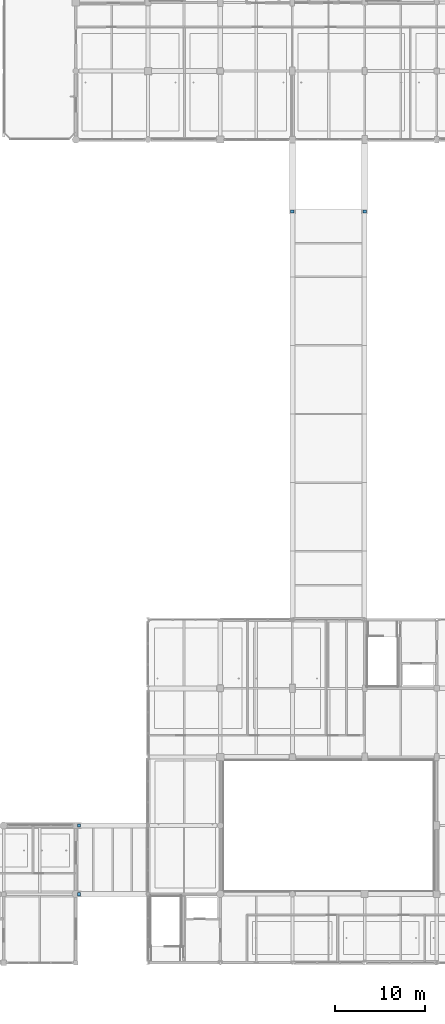
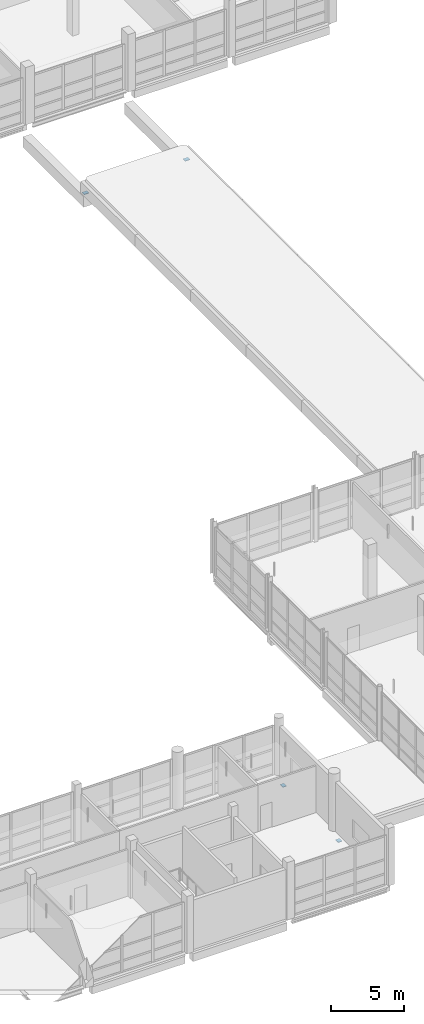
# One storey, part 95 of 107: 4 discrete accessories.
"""IFC4 building model written with IfcOpenShell, lengths in metres."""

from ifc_helpers import new_model, si_unit, direction, frame, origin, origin_2d, place, context, subcontext, project, spatial, rectangle, extrude, material, type_object, element, save


model = new_model("IFC4")

# Units and contexts
model_context = context("Model", 3, precision=1e-05, world=origin(), true_north=direction((0.0, 1.0)))
body_context = subcontext(model_context, "Body", "Model", "MODEL_VIEW")
ifc_project = project(units=[si_unit("LENGTHUNIT", "METRE"), si_unit("AREAUNIT", "SQUARE_METRE"), si_unit("VOLUMEUNIT", "CUBIC_METRE"), si_unit("PLANEANGLEUNIT", "RADIAN"), si_unit("MASSUNIT", "GRAM", prefix="KILO")], contexts=[model_context])

# Site, building, storey
site_placement = place(None, origin())
site = spatial("IfcSite", under=ifc_project, at=site_placement, CompositionType="ELEMENT")
building_placement = place(site_placement, origin())
building = spatial("IfcBuilding", under=site, at=building_placement, Name="Khelvaren Railside Concert Hall", CompositionType="ELEMENT")
storey_placement = place(building_placement, frame((0.0, 0.0, 15.0)))
storey = spatial("IfcBuildingStorey", under=building, at=storey_placement, Name="L03", CompositionType="ELEMENT", Elevation=15.0)

# Discrete accessories
ifc_material = material(Name="Elastomeric PTFE sliding bearing assembly", Category="steel")
discrete_accessory_type = type_object("IfcDiscreteAccessoryType", Name="SB94", PredefinedType="USERDEFINED", material=ifc_material)
for number, where, z_axis, x_axis, name in (
    (1, (136.360107421875, 7.60009765625, -1.18994140625), (0.0, 0.0, 1.0), (1.0, 0.0, 0.0), "East Rehearsal Link Bridge L03 Unguided PTFE Sliding Bearing 1"),
    (2, (136.360107421875, 15.199951171875, -1.18994140625), (0.0, 0.0, 1.0), (1.0, 0.0, 0.0), "East Rehearsal Link Bridge L03 Unguided PTFE Sliding Bearing 2"),
    (3, (160.0, 83.239990234375, -1.18994140625), (0.0, 0.0, 1.0), (0.0, 1.0, 0.0), "East Backstage Artist Link Bridge L03 Unguided PTFE Sliding Bearing 1"),
    (4, (168.0, 83.239990234375, -1.18994140625), (0.0, 0.0, 1.0), (0.0, 1.0, 0.0), "East Backstage Artist Link Bridge L03 Unguided PTFE Sliding Bearing 2"),
):
    element("IfcDiscreteAccessory", number, at=place(storey_placement, frame(where, z_axis=z_axis, x_axis=x_axis)), inside=storey, type_object=discrete_accessory_type, Name=name, ObjectType="SLIDING BEARING", PredefinedType="USERDEFINED", context=body_context, shape_type="SweptSolid", body=[
        extrude(rectangle(XDim=0.300048828125, YDim=0.3798828125, at=origin_2d()), origin(), (0.0, 0.0, 1.0), 0.050048828125),
    ])

save(model, "model.ifc")
